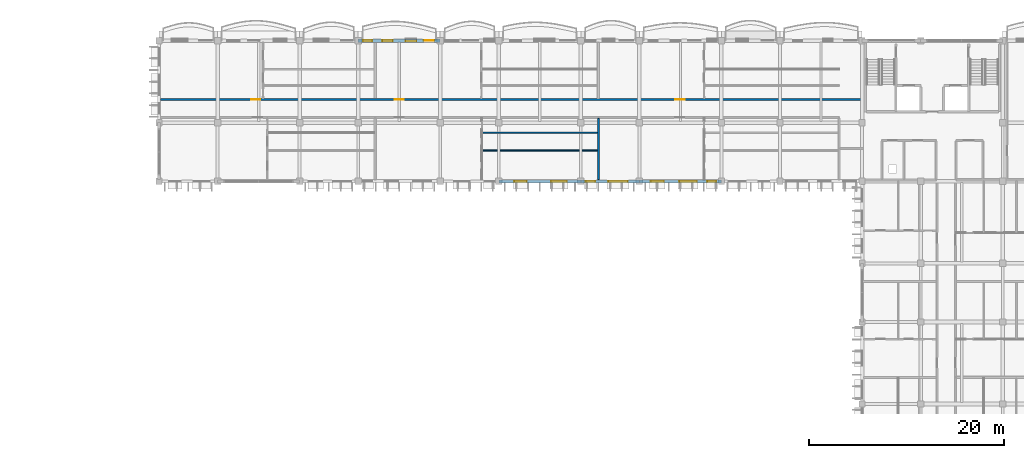
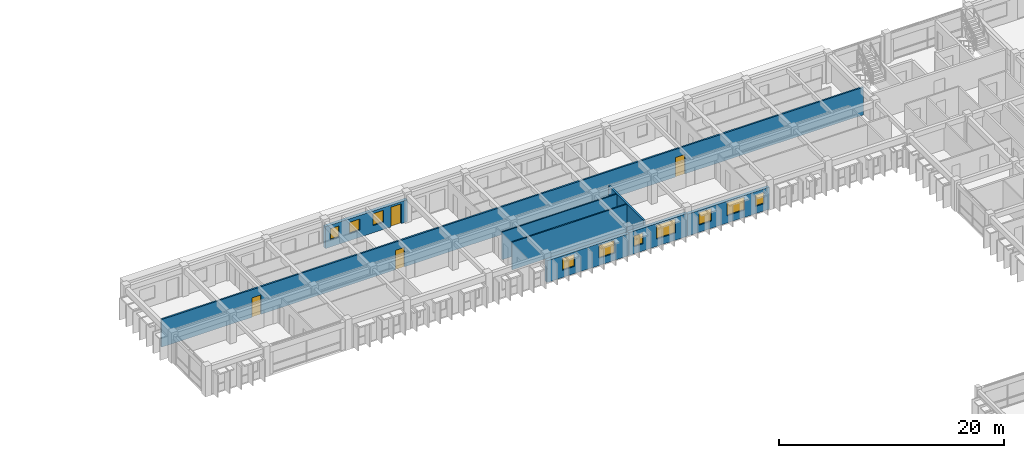
# One storey, part 37 of 76: 10 windows, 8 walls, 4 doors, 14 openings.
"""IFC4 building model written with IfcOpenShell, lengths in metres."""

from ifc_helpers import new_model, si_unit, direction, frame, frame_2d, origin, place, context, subcontext, project, spatial, rectangle, extrude, material, layer, layer_set, type_object, element, fill, save


model = new_model("IFC4")

# Units and contexts
model_context = context("Model", 3, precision=1e-05, world=origin(), true_north=direction((0.0, 1.0)))
body_context = subcontext(model_context, "Body", "Model", "MODEL_VIEW")
ifc_project = project(units=[si_unit("LENGTHUNIT", "METRE"), si_unit("AREAUNIT", "SQUARE_METRE"), si_unit("VOLUMEUNIT", "CUBIC_METRE"), si_unit("PLANEANGLEUNIT", "RADIAN"), si_unit("MASSUNIT", "GRAM", prefix="KILO"), si_unit("THERMODYNAMICTEMPERATUREUNIT", "KELVIN")], contexts=[model_context])

# Site, building, storey
site_placement = place(None, origin())
site = spatial("IfcSite", under=ifc_project, at=site_placement, CompositionType="ELEMENT")
building_placement = place(site_placement, origin())
building = spatial("IfcBuilding", under=site, at=building_placement, Name="Thalorik Housing Commons", CompositionType="ELEMENT")
storey_placement = place(building_placement, frame((0.0, 0.0, 18.0)))
storey = spatial("IfcBuildingStorey", under=building, at=storey_placement, Name="L05", CompositionType="ELEMENT", Elevation=18.0)

# Wall, openings, doors
ifc_material_1 = material(Name="Masonry fire-rated corridor wall", Category="masonry")
ifc_layer_1 = layer(ifc_material_1, 0.1650390625, Name="Masonry fire-rated corridor wall", Category="masonry")
ifc_layer_set_1 = layer_set([ifc_layer_1], Name="Masonry fire-rated corridor wall")
wall_type_1 = type_object("IfcWallType", Name="ARC-WAL-CORR-165", PredefinedType="PARTITIONING", material=ifc_layer_set_1)
wall_1_placement = place(storey_placement, frame((80.56201171875, 117.580078125, 0.0), z_axis=(0.0, 0.0, 1.0), x_axis=(1.0, 0.0, 0.0)))
wall_1 = element("IfcWall", 1, at=wall_1_placement, inside=storey, type_object=wall_type_1, Name="L05 Block B N Corridor Wall 2", PredefinedType="PARTITIONING", context=body_context, shape_type="SweptSolid", body=[
    extrude(rectangle(XDim=71.97802734375, YDim=0.1650390625, at=frame_2d((35.989013671875, 0.0))), origin(), (0.0, 0.0, 1.0), 3.0),
])
opening_1_placement = place(wall_1_placement, frame((9.286376953125, 0.0, 0.0)))
opening_1 = element("IfcOpeningElement", 2, at=opening_1_placement, cuts=wall_1, Name="Opening ID-1193", PredefinedType="OPENING", context=body_context, shape_type="SweptSolid", body=[
    extrude(rectangle(XDim=0.919921875, YDim=2.10009765625, at=frame_2d((0.4599609375, 1.050048828125))), frame((0.0, 0.092529296875, 0.0), z_axis=(0.0, -1.0, 0.0), x_axis=(1.0, 0.0, 0.0)), (0.0, 0.0, 1.0), 0.18505859375),
])
opening_2_placement = place(wall_1_placement, frame((23.992919921875, 0.0, 0.0)))
opening_2 = element("IfcOpeningElement", 3, at=opening_2_placement, cuts=wall_1, Name="Opening ID-1194", PredefinedType="OPENING", context=body_context, shape_type="SweptSolid", body=[
    extrude(rectangle(XDim=0.919921875, YDim=2.10009765625, at=frame_2d((0.4599609375, 1.050048828125))), frame((0.0, 0.092529296875, 0.0), z_axis=(0.0, -1.0, 0.0), x_axis=(1.0, 0.0, 0.0)), (0.0, 0.0, 1.0), 0.18505859375),
])
opening_3_placement = place(wall_1_placement, frame((52.702880859375, 0.0, 0.0)))
opening_3 = element("IfcOpeningElement", 4, at=opening_3_placement, cuts=wall_1, Name="Opening ID-1195", PredefinedType="OPENING", context=body_context, shape_type="SweptSolid", body=[
    extrude(rectangle(XDim=0.9599609375, YDim=2.1201171875, at=frame_2d((0.47998046875, 1.06005859375))), frame((0.0, 0.092529296875, 0.0), z_axis=(0.0, -1.0, 0.0), x_axis=(1.0, 0.0, 0.0)), (0.0, 0.0, 1.0), 0.18505859375),
])
ifc_material_2 = material(Name="Solid core hardwood timber", Category="wood")
door_type_1 = type_object("IfcDoorType", Name="ARC-DR-FD30-920", OperationType="NOTDEFINED", PredefinedType="DOOR", material=ifc_material_2)
door_1_placement = place(opening_1_placement, origin())
door_1 = element("IfcDoor", 5, at=door_1_placement, inside=storey, type_object=door_type_1, Name="L05 Flat BN-1B Entrance Door", OperationType="SINGLE_SWING_RIGHT", OverallHeight=2.10009765625, OverallWidth=0.919921875, PredefinedType="DOOR", context=body_context, shape_type="SweptSolid", body=[
    extrude(rectangle(XDim=0.919921875, YDim=2.10009765625, at=frame_2d((0.4599609375, 1.050048828125))), frame((0.0, 0.02490234375, 0.0), z_axis=(0.0, -1.0, 0.0), x_axis=(1.0, 0.0, 0.0)), (0.0, 0.0, 1.0), 0.050048828125),
])
fill(opening_1, door_1)
door_2_placement = place(opening_2_placement, origin())
door_2 = element("IfcDoor", 6, at=door_2_placement, inside=storey, type_object=door_type_1, Name="L05 Flat BN-2B Entrance Door", OperationType="SINGLE_SWING_LEFT", OverallHeight=2.10009765625, OverallWidth=0.919921875, PredefinedType="DOOR", context=body_context, shape_type="SweptSolid", body=[
    extrude(rectangle(XDim=0.919921875, YDim=2.10009765625, at=frame_2d((0.4599609375, 1.050048828125))), frame((0.0, 0.02490234375, 0.0), z_axis=(0.0, -1.0, 0.0), x_axis=(1.0, 0.0, 0.0)), (0.0, 0.0, 1.0), 0.050048828125),
])
fill(opening_2, door_2)
door_type_2 = type_object("IfcDoorType", Name="ARC-DR-FD30-960", OperationType="NOTDEFINED", PredefinedType="DOOR", material=ifc_material_2)
door_3_placement = place(opening_3_placement, origin())
door_3 = element("IfcDoor", 7, at=door_3_placement, inside=storey, type_object=door_type_2, Name="L05 Flat BN-3B Entrance Door", OperationType="SINGLE_SWING_RIGHT", OverallHeight=2.1201171875, OverallWidth=0.9599609375, PredefinedType="DOOR", context=body_context, shape_type="SweptSolid", body=[
    extrude(rectangle(XDim=0.9599609375, YDim=2.1201171875, at=frame_2d((0.47998046875, 1.06005859375))), frame((0.0, 0.02490234375, 0.0), z_axis=(0.0, -1.0, 0.0), x_axis=(1.0, 0.0, 0.0)), (0.0, 0.0, 1.0), 0.050048828125),
])
fill(opening_3, door_3)

# Wall, openings, door, windows
ifc_material_3 = material(Name="White precast concrete C40/50", Category="concrete")
ifc_layer_2 = layer(ifc_material_3, 0.320068359375, Name="White precast concrete C40/50", Category="concrete")
ifc_layer_set_2 = layer_set([ifc_layer_2], Name="White precast concrete C40/50")
wall_type_2 = type_object("IfcWallType", Name="ARC-WAL-EXT-320", PredefinedType="STANDARD", material=ifc_layer_set_2)
wall_2_placement = place(storey_placement, frame((109.199951171875, 123.60009765625, 0.0), z_axis=(0.0, 0.0, 1.0), x_axis=(-1.0, 0.0, 0.0)))
wall_2 = element("IfcWall", 8, at=wall_2_placement, inside=storey, type_object=wall_type_2, Name="L05 Exterior Wall WAL-EXT-L05-B-0570", PredefinedType="STANDARD", context=body_context, shape_type="SweptSolid", body=[
    extrude(rectangle(XDim=8.39990234375, YDim=0.320068359375, at=frame_2d((4.199951171875, 0.0))), origin(), (0.0, 0.0, 1.0), 2.375),
])
opening_4_placement = place(wall_2_placement, frame((0.6201171875, 0.0, 0.0)))
opening_4 = element("IfcOpeningElement", 9, at=opening_4_placement, cuts=wall_2, Name="Opening ED-0183", PredefinedType="OPENING", context=body_context, shape_type="SweptSolid", body=[
    extrude(rectangle(XDim=1.050048828125, YDim=2.14990234375, at=frame_2d((0.52490234375, 1.074951171875))), frame((0.0, 0.169921875, 0.0), z_axis=(0.0, -1.0, 0.0), x_axis=(1.0, 0.0, 0.0)), (0.0, 0.0, 1.0), 0.340087890625),
])
opening_5_placement = place(wall_2_placement, frame((2.43994140625, 0.0, 0.780029296875)))
opening_5 = element("IfcOpeningElement", 10, at=opening_5_placement, cuts=wall_2, Name="Opening W-03", PredefinedType="OPENING", context=body_context, shape_type="SweptSolid", body=[
    extrude(rectangle(XDim=1.10009765625, YDim=1.300048828125, at=frame_2d((0.550048828125, 0.64990234375))), frame((0.0, 0.169921875, 0.0), z_axis=(0.0, -1.0, 0.0), x_axis=(1.0, 0.0, 0.0)), (0.0, 0.0, 1.0), 0.340087890625),
])
opening_6_placement = place(wall_2_placement, frame((4.864990234375, 0.0, 0.780029296875)))
opening_6 = element("IfcOpeningElement", 11, at=opening_6_placement, cuts=wall_2, Name="Opening W-44", PredefinedType="OPENING", context=body_context, shape_type="SweptSolid", body=[
    extrude(rectangle(XDim=1.050048828125, YDim=1.199951171875, at=frame_2d((0.52490234375, 0.60009765625))), frame((0.0, 0.169921875, 0.0), z_axis=(0.0, -1.0, 0.0), x_axis=(1.0, 0.0, 0.0)), (0.0, 0.0, 1.0), 0.340087890625),
])
opening_7_placement = place(wall_2_placement, frame((6.985107421875, 0.0, 0.780029296875)))
opening_7 = element("IfcOpeningElement", 12, at=opening_7_placement, cuts=wall_2, Name="Opening W-01", PredefinedType="OPENING", context=body_context, shape_type="SweptSolid", body=[
    extrude(rectangle(XDim=0.89990234375, YDim=1.199951171875, at=frame_2d((0.449951171875, 0.60009765625))), frame((0.0, 0.169921875, 0.0), z_axis=(0.0, -1.0, 0.0), x_axis=(1.0, 0.0, 0.0)), (0.0, 0.0, 1.0), 0.340087890625),
])
ifc_material_4 = material(Name="Anodised aluminium and laminated safety glass", Category="aluminium")
door_type_3 = type_object("IfcDoorType", Name="ARC-DR-BAL-1050", OperationType="NOTDEFINED", PredefinedType="DOOR", material=ifc_material_4)
door_4_placement = place(opening_4_placement, frame((1.050048828125, 0.0, 0.0), z_axis=(0.0, 0.0, 1.0), x_axis=(-1.0, 0.0, 0.0)))
door_4 = element("IfcDoor", 13, at=door_4_placement, inside=storey, type_object=door_type_3, Name="L05 Block B Balcony Glazed Door", OperationType="SINGLE_SWING_RIGHT", OverallHeight=2.14990234375, OverallWidth=1.050048828125, PredefinedType="DOOR", context=body_context, shape_type="SweptSolid", body=[
    extrude(rectangle(XDim=1.050048828125, YDim=2.14990234375, at=frame_2d((0.52490234375, 1.074951171875))), frame((0.0, 0.02490234375, 0.0), z_axis=(0.0, -1.0, 0.0), x_axis=(1.0, 0.0, 0.0)), (0.0, 0.0, 1.0), 0.050048828125),
])
fill(opening_4, door_4)
ifc_material_5 = material(Name="Anodised aluminium and solar-control low-E glass", Category="aluminium")
window_type_1 = type_object("IfcWindowType", Name="ARC-WIN-01", PartitioningType="SINGLE_PANEL", PredefinedType="WINDOW", material=ifc_material_5)
window_1_placement = place(opening_7_placement, origin())
window_1 = element("IfcWindow", 14, at=window_1_placement, inside=storey, type_object=window_type_1, Name="L05 Facade Window 1035", OverallHeight=1.199951171875, OverallWidth=0.89990234375, PartitioningType="SINGLE_PANEL", PredefinedType="WINDOW", context=body_context, shape_type="SweptSolid", body=[
    extrude(rectangle(XDim=0.89990234375, YDim=1.199951171875, at=frame_2d((0.449951171875, 0.60009765625))), frame((0.0, 0.030029296875, 0.0), z_axis=(0.0, -1.0, 0.0), x_axis=(1.0, 0.0, 0.0)), (0.0, 0.0, 1.0), 0.06005859375),
])
fill(opening_7, window_1)
window_type_2 = type_object("IfcWindowType", Name="ARC-WIN-03", PartitioningType="SINGLE_PANEL", PredefinedType="WINDOW", material=ifc_material_5)
window_2_placement = place(opening_5_placement, origin())
window_2 = element("IfcWindow", 15, at=window_2_placement, inside=storey, type_object=window_type_2, Name="L05 Facade Window 1033", OverallHeight=1.300048828125, OverallWidth=1.10009765625, PartitioningType="SINGLE_PANEL", PredefinedType="WINDOW", context=body_context, shape_type="SweptSolid", body=[
    extrude(rectangle(XDim=1.10009765625, YDim=1.300048828125, at=frame_2d((0.550048828125, 0.64990234375))), frame((0.0, 0.030029296875, 0.0), z_axis=(0.0, -1.0, 0.0), x_axis=(1.0, 0.0, 0.0)), (0.0, 0.0, 1.0), 0.06005859375),
])
fill(opening_5, window_2)
window_type_3 = type_object("IfcWindowType", Name="ARC-WIN-44", PartitioningType="SINGLE_PANEL", PredefinedType="WINDOW", material=ifc_material_5)
window_3_placement = place(opening_6_placement, origin())
window_3 = element("IfcWindow", 16, at=window_3_placement, inside=storey, type_object=window_type_3, Name="L05 Facade Window 1034", OverallHeight=1.199951171875, OverallWidth=1.050048828125, PartitioningType="SINGLE_PANEL", PredefinedType="WINDOW", context=body_context, shape_type="SweptSolid", body=[
    extrude(rectangle(XDim=1.050048828125, YDim=1.199951171875, at=frame_2d((0.52490234375, 0.60009765625))), frame((0.0, 0.030029296875, 0.0), z_axis=(0.0, -1.0, 0.0), x_axis=(1.0, 0.0, 0.0)), (0.0, 0.0, 1.0), 0.06005859375),
])
fill(opening_6, window_3)

# Wall, openings, windows
wall_3_placement = place(storey_placement, frame((115.199951171875, 109.199951171875, 0.0), z_axis=(0.0, 0.0, 1.0), x_axis=(1.0, 0.0, 0.0)))
wall_3 = element("IfcWall", 17, at=wall_3_placement, inside=storey, type_object=wall_type_2, Name="L05 Exterior Wall WAL-EXT-L05-B-0581", PredefinedType="STANDARD", context=body_context, shape_type="SweptSolid", body=[
    extrude(rectangle(XDim=8.400146484375, YDim=0.320068359375, at=frame_2d((4.2001953125, 0.0))), origin(), (0.0, 0.0, 1.0), 2.375),
])
opening_8_placement = place(wall_3_placement, frame((1.60498046875, 0.0, 0.780029296875)))
opening_8 = element("IfcOpeningElement", 18, at=opening_8_placement, cuts=wall_3, Name="Opening W-46", PredefinedType="OPENING", context=body_context, shape_type="SweptSolid", body=[
    extrude(rectangle(XDim=1.25, YDim=1.300048828125, at=frame_2d((0.625, 0.64990234375))), frame((0.0, 0.169921875, 0.0), z_axis=(0.0, -1.0, 0.0), x_axis=(1.0, 0.0, 0.0)), (0.0, 0.0, 1.0), 0.340087890625),
])
opening_9_placement = place(wall_3_placement, frame((5.360107421875, 0.0, 0.780029296875)))
opening_9 = element("IfcOpeningElement", 19, at=opening_9_placement, cuts=wall_3, Name="Opening W-54", PredefinedType="OPENING", context=body_context, shape_type="SweptSolid", body=[
    extrude(rectangle(XDim=1.6201171875, YDim=1.3798828125, at=frame_2d((0.81005859375, 0.68994140625))), frame((0.0, 0.169921875, 0.0), z_axis=(0.0, -1.0, 0.0), x_axis=(1.0, 0.0, 0.0)), (0.0, 0.0, 1.0), 0.340087890625),
])
window_type_4 = type_object("IfcWindowType", Name="ARC-WIN-46", PartitioningType="SINGLE_PANEL", PredefinedType="WINDOW", material=ifc_material_5)
window_4_placement = place(opening_8_placement, origin())
window_4 = element("IfcWindow", 20, at=window_4_placement, inside=storey, type_object=window_type_4, Name="L05 Facade Window 1052", OverallHeight=1.300048828125, OverallWidth=1.25, PartitioningType="SINGLE_PANEL", PredefinedType="WINDOW", context=body_context, shape_type="SweptSolid", body=[
    extrude(rectangle(XDim=1.25, YDim=1.300048828125, at=frame_2d((0.625, 0.64990234375))), frame((0.0, 0.030029296875, 0.0), z_axis=(0.0, -1.0, 0.0), x_axis=(1.0, 0.0, 0.0)), (0.0, 0.0, 1.0), 0.06005859375),
])
fill(opening_8, window_4)
window_type_5 = type_object("IfcWindowType", Name="ARC-WIN-54", PartitioningType="DOUBLE_PANEL_VERTICAL", PredefinedType="WINDOW", material=ifc_material_5)
window_5_placement = place(opening_9_placement, origin())
window_5 = element("IfcWindow", 21, at=window_5_placement, inside=storey, type_object=window_type_5, Name="L05 Facade Window 1053", OverallHeight=1.3798828125, OverallWidth=1.6201171875, PartitioningType="DOUBLE_PANEL_VERTICAL", PredefinedType="WINDOW", context=body_context, shape_type="SweptSolid", body=[
    extrude(rectangle(XDim=1.6201171875, YDim=1.3798828125, at=frame_2d((0.81005859375, 0.68994140625))), frame((0.0, 0.030029296875, 0.0), z_axis=(0.0, -1.0, 0.0), x_axis=(1.0, 0.0, 0.0)), (0.0, 0.0, 1.0), 0.06005859375),
])
fill(opening_9, window_5)

wall_4_placement = place(storey_placement, frame((123.60009765625, 109.199951171875, 0.0), z_axis=(0.0, 0.0, 1.0), x_axis=(1.0, 0.0, 0.0)))
wall_4 = element("IfcWall", 22, at=wall_4_placement, inside=storey, type_object=wall_type_2, Name="L05 Exterior Wall WAL-EXT-L05-B-0582", PredefinedType="STANDARD", context=body_context, shape_type="SweptSolid", body=[
    extrude(rectangle(XDim=6.0, YDim=0.320068359375, at=frame_2d((3.0, 0.0))), origin(), (0.0, 0.0, 1.0), 2.47509765625),
])
opening_10_placement = place(wall_4_placement, frame((0.52001953125, 0.0, 0.780029296875)))
opening_10 = element("IfcOpeningElement", 23, at=opening_10_placement, cuts=wall_4, Name="Opening W-43", PredefinedType="OPENING", context=body_context, shape_type="SweptSolid", body=[
    extrude(rectangle(XDim=0.949951171875, YDim=1.14990234375, at=frame_2d((0.47509765625, 0.574951171875))), frame((0.0, 0.169921875, 0.0), z_axis=(0.0, -1.0, 0.0), x_axis=(1.0, 0.0, 0.0)), (0.0, 0.0, 1.0), 0.340087890625),
])
opening_11_placement = place(wall_4_placement, frame((2.81494140625, 0.0, 0.780029296875)))
opening_11 = element("IfcOpeningElement", 24, at=opening_11_placement, cuts=wall_4, Name="Opening W-61", PredefinedType="OPENING", context=body_context, shape_type="SweptSolid", body=[
    extrude(rectangle(XDim=1.97998046875, YDim=1.5, at=frame_2d((0.989990234375, 0.75))), frame((0.0, 0.169921875, 0.0), z_axis=(0.0, -1.0, 0.0), x_axis=(1.0, 0.0, 0.0)), (0.0, 0.0, 1.0), 0.340087890625),
])
window_type_6 = type_object("IfcWindowType", Name="ARC-WIN-43", PartitioningType="SINGLE_PANEL", PredefinedType="WINDOW", material=ifc_material_5)
window_6_placement = place(opening_10_placement, origin())
window_6 = element("IfcWindow", 25, at=window_6_placement, inside=storey, type_object=window_type_6, Name="L05 Facade Window 1054", OverallHeight=1.14990234375, OverallWidth=0.949951171875, PartitioningType="SINGLE_PANEL", PredefinedType="WINDOW", context=body_context, shape_type="SweptSolid", body=[
    extrude(rectangle(XDim=0.949951171875, YDim=1.14990234375, at=frame_2d((0.47509765625, 0.574951171875))), frame((0.0, 0.030029296875, 0.0), z_axis=(0.0, -1.0, 0.0), x_axis=(1.0, 0.0, 0.0)), (0.0, 0.0, 1.0), 0.06005859375),
])
fill(opening_10, window_6)
window_type_7 = type_object("IfcWindowType", Name="ARC-WIN-61", PartitioningType="DOUBLE_PANEL_VERTICAL", PredefinedType="WINDOW", material=ifc_material_5)
window_7_placement = place(opening_11_placement, origin())
window_7 = element("IfcWindow", 26, at=window_7_placement, inside=storey, type_object=window_type_7, Name="L05 Facade Window 1055", OverallHeight=1.5, OverallWidth=1.97998046875, PartitioningType="DOUBLE_PANEL_VERTICAL", PredefinedType="WINDOW", context=body_context, shape_type="SweptSolid", body=[
    extrude(rectangle(XDim=1.97998046875, YDim=1.5, at=frame_2d((0.989990234375, 0.75))), frame((0.0, 0.030029296875, 0.0), z_axis=(0.0, -1.0, 0.0), x_axis=(1.0, 0.0, 0.0)), (0.0, 0.0, 1.0), 0.06005859375),
])
fill(opening_11, window_7)

wall_5_placement = place(storey_placement, frame((129.60009765625, 109.199951171875, 0.0), z_axis=(0.0, 0.0, 1.0), x_axis=(1.0, 0.0, 0.0)))
wall_5 = element("IfcWall", 27, at=wall_5_placement, inside=storey, type_object=wall_type_2, Name="L05 Exterior Wall WAL-EXT-L05-B-0583", PredefinedType="STANDARD", context=body_context, shape_type="SweptSolid", body=[
    extrude(rectangle(XDim=8.39990234375, YDim=0.320068359375, at=frame_2d((4.199951171875, 0.0))), origin(), (0.0, 0.0, 1.0), 2.375),
])
opening_12_placement = place(wall_5_placement, frame((1.173828125, 0.0, 0.780029296875)))
opening_12 = element("IfcOpeningElement", 28, at=opening_12_placement, cuts=wall_5, Name="Opening W-48", PredefinedType="OPENING", context=body_context, shape_type="SweptSolid", body=[
    extrude(rectangle(XDim=1.320068359375, YDim=1.35009765625, at=frame_2d((0.66015625, 0.675048828125))), frame((0.0, 0.169921875, 0.0), z_axis=(0.0, -1.0, 0.0), x_axis=(1.0, 0.0, 0.0)), (0.0, 0.0, 1.0), 0.340087890625),
])
opening_13_placement = place(wall_5_placement, frame((4.09130859375, 0.0, 0.780029296875)))
opening_13 = element("IfcOpeningElement", 29, at=opening_13_placement, cuts=wall_5, Name="Opening W-57", PredefinedType="OPENING", context=body_context, shape_type="SweptSolid", body=[
    extrude(rectangle(XDim=1.780029296875, YDim=1.419921875, at=frame_2d((0.89013671875, 0.7099609375))), frame((0.0, 0.169921875, 0.0), z_axis=(0.0, -1.0, 0.0), x_axis=(1.0, 0.0, 0.0)), (0.0, 0.0, 1.0), 0.340087890625),
])
opening_14_placement = place(wall_5_placement, frame((6.967529296875, 0.0, 0.780029296875)))
opening_14 = element("IfcOpeningElement", 30, at=opening_14_placement, cuts=wall_5, Name="Opening W-01", PredefinedType="OPENING", context=body_context, shape_type="SweptSolid", body=[
    extrude(rectangle(XDim=0.89990234375, YDim=1.199951171875, at=frame_2d((0.449951171875, 0.60009765625))), frame((0.0, 0.169921875, 0.0), z_axis=(0.0, -1.0, 0.0), x_axis=(1.0, 0.0, 0.0)), (0.0, 0.0, 1.0), 0.340087890625),
])
window_8_placement = place(opening_14_placement, origin())
window_8 = element("IfcWindow", 31, at=window_8_placement, inside=storey, type_object=window_type_1, Name="L05 Facade Window 1058", OverallHeight=1.199951171875, OverallWidth=0.89990234375, PartitioningType="SINGLE_PANEL", PredefinedType="WINDOW", context=body_context, shape_type="SweptSolid", body=[
    extrude(rectangle(XDim=0.89990234375, YDim=1.199951171875, at=frame_2d((0.449951171875, 0.60009765625))), frame((0.0, 0.030029296875, 0.0), z_axis=(0.0, -1.0, 0.0), x_axis=(1.0, 0.0, 0.0)), (0.0, 0.0, 1.0), 0.06005859375),
])
fill(opening_14, window_8)
window_type_8 = type_object("IfcWindowType", Name="ARC-WIN-48", PartitioningType="SINGLE_PANEL", PredefinedType="WINDOW", material=ifc_material_5)
window_9_placement = place(opening_12_placement, origin())
window_9 = element("IfcWindow", 32, at=window_9_placement, inside=storey, type_object=window_type_8, Name="L05 Facade Window 1056", OverallHeight=1.35009765625, OverallWidth=1.320068359375, PartitioningType="SINGLE_PANEL", PredefinedType="WINDOW", context=body_context, shape_type="SweptSolid", body=[
    extrude(rectangle(XDim=1.320068359375, YDim=1.35009765625, at=frame_2d((0.66015625, 0.675048828125))), frame((0.0, 0.030029296875, 0.0), z_axis=(0.0, -1.0, 0.0), x_axis=(1.0, 0.0, 0.0)), (0.0, 0.0, 1.0), 0.06005859375),
])
fill(opening_12, window_9)
window_type_9 = type_object("IfcWindowType", Name="ARC-WIN-57", PartitioningType="DOUBLE_PANEL_VERTICAL", PredefinedType="WINDOW", material=ifc_material_5)
window_10_placement = place(opening_13_placement, origin())
window_10 = element("IfcWindow", 33, at=window_10_placement, inside=storey, type_object=window_type_9, Name="L05 Facade Window 1057", OverallHeight=1.419921875, OverallWidth=1.780029296875, PartitioningType="DOUBLE_PANEL_VERTICAL", PredefinedType="WINDOW", context=body_context, shape_type="SweptSolid", body=[
    extrude(rectangle(XDim=1.780029296875, YDim=1.419921875, at=frame_2d((0.89013671875, 0.7099609375))), frame((0.0, 0.030029296875, 0.0), z_axis=(0.0, -1.0, 0.0), x_axis=(1.0, 0.0, 0.0)), (0.0, 0.0, 1.0), 0.06005859375),
])
fill(opening_13, window_10)

# Walls
ifc_material_6 = material(Name="Gypsum acoustic stud partition", Category="masonry")
ifc_layer_3 = layer(ifc_material_6, 0.125, Name="Gypsum acoustic stud partition", Category="masonry")
ifc_layer_set_3 = layer_set([ifc_layer_3], Name="Gypsum acoustic stud partition")
wall_type_3 = type_object("IfcWallType", Name="ARC-WAL-PART-125", PredefinedType="PARTITIONING", material=ifc_layer_set_3)
wall_6_placement = place(storey_placement, frame((113.52197265625, 114.169677734375, 0.0), z_axis=(0.0, 0.0, 1.0), x_axis=(1.0, 0.0, 0.0)))
element("IfcWall", 34, at=wall_6_placement, inside=storey, type_object=wall_type_3, Name="L05 Unit 2 Wet Wall", PredefinedType="PARTITIONING", context=body_context, shape_type="SweptSolid", body=[
    extrude(rectangle(XDim=11.783447265625, YDim=0.125, at=frame_2d((5.8916015625, 0.0))), origin(), (0.0, 0.0, 1.0), 3.0),
])
ifc_material_7 = material(Name="Ceramic masonry partition wall", Category="masonry")
ifc_layer_4 = layer(ifc_material_7, 0.139892578125, Name="Ceramic masonry partition wall", Category="masonry")
ifc_layer_set_4 = layer_set([ifc_layer_4], Name="Ceramic masonry partition wall")
wall_type_4 = type_object("IfcWallType", Name="ARC-WAL-PART-140", PredefinedType="PARTITIONING", material=ifc_layer_set_4)
wall_7_placement = place(storey_placement, frame((113.52197265625, 112.36083984375, 0.0), z_axis=(0.0, 0.0, 1.0), x_axis=(1.0, 0.0, 0.0)))
element("IfcWall", 35, at=wall_7_placement, inside=storey, type_object=wall_type_4, Name="L05 Unit 2 Bedroom Partition", PredefinedType="PARTITIONING", context=body_context, shape_type="SweptSolid", body=[
    extrude(rectangle(XDim=11.783447265625, YDim=0.139892578125, at=frame_2d((5.8916015625, 0.0))), origin(), (0.0, 0.0, 1.0), 3.0),
])
ifc_material_8 = material(Name="Masonry acoustic blockwork wall", Category="masonry")
ifc_layer_5 = layer(ifc_material_8, 0.18505859375, Name="Masonry acoustic blockwork wall", Category="masonry")
ifc_layer_set_5 = layer_set([ifc_layer_5], Name="Masonry acoustic blockwork wall")
wall_type_5 = type_object("IfcWallType", Name="ARC-WAL-PARTY-185", PredefinedType="PARTITIONING", material=ifc_layer_set_5)
wall_8_placement = place(storey_placement, frame((125.39990234375, 109.362060546875, 0.0), z_axis=(0.0, 0.0, 1.0), x_axis=(0.0, 1.0, 0.0)))
element("IfcWall", 36, at=wall_8_placement, inside=storey, type_object=wall_type_5, Name="L05 Inter-Tenancy Wall 2A", PredefinedType="PARTITIONING", context=body_context, shape_type="SweptSolid", body=[
    extrude(rectangle(XDim=6.281005859375, YDim=0.18505859375, at=frame_2d((3.140625, 0.0))), origin(), (0.0, 0.0, 1.0), 3.0),
])

save(model, "model.ifc")
